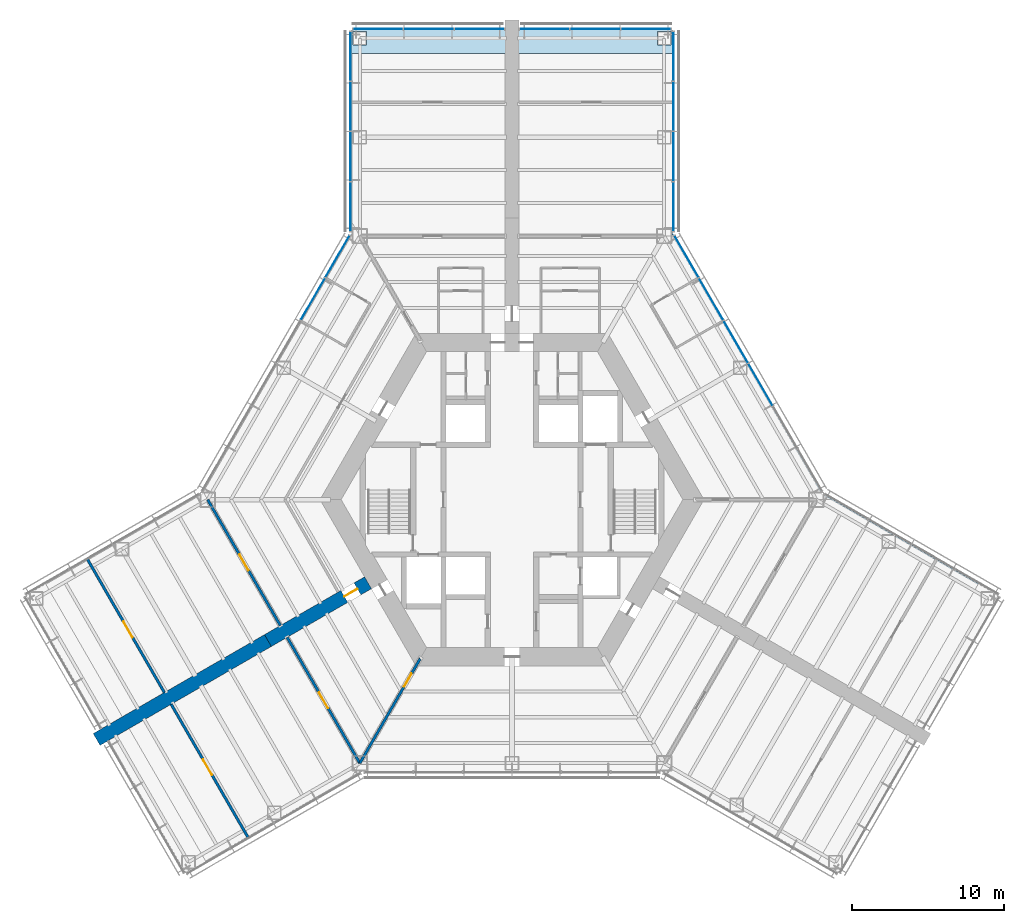
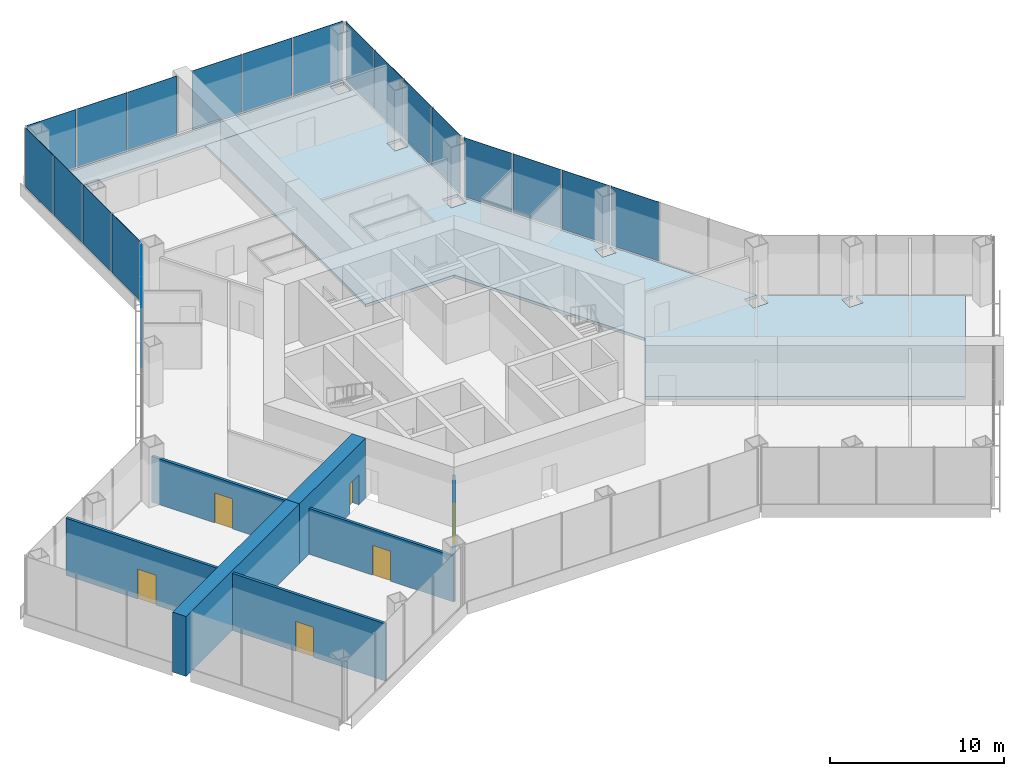
# One storey, part 10 of 16: 20 plates, 7 walls, 6 doors, 2 slabs, 6 openings, 6 elements without a shape of their own.
"""IFC4 building model written with IfcOpenShell, lengths in metres."""

from ifc_helpers import new_model, si_unit, direction, frame, frame_2d, origin, origin_2d, place, context, subcontext, project, spatial, polyline, rectangle, outline, extrude, material, layer, layer_set, type_object, element, fill, aggregate, save


model = new_model("IFC4")

# Units and contexts
model_context = context("Model", 3, precision=1e-05, world=origin(), true_north=direction((0.0, 1.0)))
body_context = subcontext(model_context, "Body", "Model", "MODEL_VIEW")
ifc_project = project(units=[si_unit("LENGTHUNIT", "METRE"), si_unit("AREAUNIT", "SQUARE_METRE"), si_unit("VOLUMEUNIT", "CUBIC_METRE"), si_unit("PLANEANGLEUNIT", "RADIAN"), si_unit("MASSUNIT", "GRAM", prefix="KILO")], contexts=[model_context])

# Site, building, storey
site_placement = place(None, origin())
site = spatial("IfcSite", under=ifc_project, at=site_placement, CompositionType="ELEMENT")
building_placement = place(site_placement, origin())
building = spatial("IfcBuilding", under=site, at=building_placement, Name="Kasaneha Research Tower", CompositionType="ELEMENT")
storey_placement = place(building_placement, frame((0.0, 0.0, 18.39990234375)))
storey = spatial("IfcBuildingStorey", under=building, at=storey_placement, Name="L05", CompositionType="ELEMENT", Elevation=18.39990234375)

# Curtain wall, plates
ifc_material_1 = material(Name="Glass and aluminium", Category="aluminium")
curtain_wall_type = type_object("IfcCurtainWallType", Name="Wet laboratory curtain wall", PredefinedType="USERDEFINED", material=ifc_material_1)
curtain_wall_1_placement = place(storey_placement, origin())
curtain_wall_1 = element("IfcCurtainWall", 1, at=curtain_wall_1_placement, inside=storey, type_object=curtain_wall_type, Name="CW-L1 L05 run 07a", ObjectType="UNITISED CURTAIN WALL", PredefinedType="USERDEFINED")
ifc_material_2 = material(Name="Laminated double glazing", Category="glass")
ifc_layer_1 = layer(ifc_material_2, 0.030029296875)
ifc_layer_set_1 = layer_set([ifc_layer_1], Name="CW-L1 glazed panel")
plate_type = type_object("IfcPlateType", Name="CW-L1 glazed panel", PredefinedType="CURTAIN_PANEL", material=ifc_layer_set_1)
plate_1_placement = place(storey_placement, frame((16.331298828125, 7.554443359375, 0.06494140625), z_axis=(0.0, 0.0, 1.0), x_axis=(-0.49999996188, 0.866025425793, 0.0)))
plate_1 = element("IfcPlate", 2, at=plate_1_placement, type_object=plate_type, Name="CW-L1 panel 3", PredefinedType="CURTAIN_PANEL", context=body_context, shape_type="SweptSolid", body=[
    extrude(rectangle(XDim=3.181396484375, YDim=0.030029296875, at=origin_2d()), origin(), (0.0, 0.0, 1.0), 4.135009765625),
])
plate_2_placement = place(storey_placement, frame((14.7080078125, 10.365966796875, 0.06494140625), z_axis=(0.0, 0.0, 1.0), x_axis=(-0.49999996188, 0.866025425793, 0.0)))
plate_2 = element("IfcPlate", 3, at=plate_2_placement, type_object=plate_type, Name="CW-L1 panel 4", PredefinedType="CURTAIN_PANEL", context=body_context, shape_type="SweptSolid", body=[
    extrude(rectangle(XDim=3.181396484375, YDim=0.030029296875, at=origin_2d()), origin(), (0.0, 0.0, 1.0), 4.135009765625),
])
plate_3_placement = place(storey_placement, frame((13.084716796875, 13.177490234375, 0.06494140625), z_axis=(0.0, 0.0, 1.0), x_axis=(-0.49999996188, 0.866025425793, 0.0)))
plate_3 = element("IfcPlate", 4, at=plate_3_placement, type_object=plate_type, Name="CW-L1 panel 5", PredefinedType="CURTAIN_PANEL", context=body_context, shape_type="SweptSolid", body=[
    extrude(rectangle(XDim=3.181396484375, YDim=0.030029296875, at=origin_2d()), origin(), (0.0, 0.0, 1.0), 4.135009765625),
])
plate_4_placement = place(storey_placement, frame((11.4697265625, 15.974853515625, 0.06494140625), z_axis=(0.0, 0.0, 1.0), x_axis=(-0.49999996188, 0.866025425793, 0.0)))
plate_4 = element("IfcPlate", 5, at=plate_4_placement, type_object=plate_type, Name="CW-L1 panel 6", PredefinedType="CURTAIN_PANEL", context=body_context, shape_type="SweptSolid", body=[
    extrude(rectangle(XDim=3.14892578125, YDim=0.030029296875, at=origin_2d()), origin(), (0.0, 0.0, 1.0), 4.135009765625),
])
aggregate(curtain_wall_1, [plate_1, plate_2, plate_3, plate_4])

curtain_wall_2_placement = place(storey_placement, origin())
curtain_wall_2 = element("IfcCurtainWall", 6, at=curtain_wall_2_placement, inside=storey, type_object=curtain_wall_type, Name="CW-L1 L05 run 08a", ObjectType="UNITISED CURTAIN WALL", PredefinedType="USERDEFINED")
plate_5_placement = place(storey_placement, frame((10.60009765625, 19.25244140625, 0.06494140625), z_axis=(0.0, 0.0, 1.0), x_axis=(0.0, 1.0, 0.0)))
plate_5 = element("IfcPlate", 7, at=plate_5_placement, type_object=plate_type, Name="CW-L1 panel 1", PredefinedType="CURTAIN_PANEL", context=body_context, shape_type="SweptSolid", body=[
    extrude(rectangle(XDim=3.21240234375, YDim=0.030029296875, at=origin_2d()), origin(), (0.0, 0.0, 1.0), 4.135009765625),
])
plate_6_placement = place(storey_placement, frame((10.60009765625, 22.5458984375, 0.06494140625), z_axis=(0.0, 0.0, 1.0), x_axis=(0.0, 1.0, 0.0)))
plate_6 = element("IfcPlate", 8, at=plate_6_placement, type_object=plate_type, Name="CW-L1 panel 2", PredefinedType="CURTAIN_PANEL", context=body_context, shape_type="SweptSolid", body=[
    extrude(rectangle(XDim=3.244873046875, YDim=0.030029296875, at=origin_2d()), origin(), (0.0, 0.0, 1.0), 4.135009765625),
])
plate_7_placement = place(storey_placement, frame((10.60009765625, 25.855712890625, 0.06494140625), z_axis=(0.0, 0.0, 1.0), x_axis=(0.0, 1.0, 0.0)))
plate_7 = element("IfcPlate", 9, at=plate_7_placement, type_object=plate_type, Name="CW-L1 panel 3", PredefinedType="CURTAIN_PANEL", context=body_context, shape_type="SweptSolid", body=[
    extrude(rectangle(XDim=3.244873046875, YDim=0.030029296875, at=origin_2d()), origin(), (0.0, 0.0, 1.0), 4.135009765625),
])
plate_8_placement = place(storey_placement, frame((10.60009765625, 29.1494140625, 0.06494140625), z_axis=(0.0, 0.0, 1.0), x_axis=(0.0, 1.0, 0.0)))
plate_8 = element("IfcPlate", 10, at=plate_8_placement, type_object=plate_type, Name="CW-L1 panel 4", PredefinedType="CURTAIN_PANEL", context=body_context, shape_type="SweptSolid", body=[
    extrude(rectangle(XDim=3.21240234375, YDim=0.030029296875, at=origin_2d()), origin(), (0.0, 0.0, 1.0), 4.135009765625),
])
aggregate(curtain_wall_2, [plate_5, plate_6, plate_7, plate_8])

curtain_wall_3_placement = place(storey_placement, origin())
curtain_wall_3 = element("IfcCurtainWall", 11, at=curtain_wall_3_placement, inside=storey, type_object=curtain_wall_type, Name="CW-L1 L05 run 09a", ObjectType="UNITISED CURTAIN WALL", PredefinedType="USERDEFINED")
plate_9_placement = place(storey_placement, frame((8.808837890625, 30.92041015625, 0.06494140625), z_axis=(0.0, 0.0, 1.0), x_axis=(-1.0, 0.0, 0.0)))
plate_9 = element("IfcPlate", 12, at=plate_9_placement, type_object=plate_type, Name="CW-L1 panel 1", PredefinedType="CURTAIN_PANEL", context=body_context, shape_type="SweptSolid", body=[
    extrude(rectangle(XDim=3.25244140625, YDim=0.030029296875, at=origin_2d()), origin(), (0.0, 0.0, 1.0), 4.135009765625),
])
plate_10_placement = place(storey_placement, frame((5.47509765625, 30.92041015625, 0.06494140625), z_axis=(0.0, 0.0, 1.0), x_axis=(-1.0, 0.0, 0.0)))
plate_10 = element("IfcPlate", 13, at=plate_10_placement, type_object=plate_type, Name="CW-L1 panel 2", PredefinedType="CURTAIN_PANEL", context=body_context, shape_type="SweptSolid", body=[
    extrude(rectangle(XDim=3.284912109375, YDim=0.030029296875, at=origin_2d()), origin(), (0.0, 0.0, 1.0), 4.135009765625),
])
plate_11_placement = place(storey_placement, frame((2.141357421875, 30.92041015625, 0.06494140625), z_axis=(0.0, 0.0, 1.0), x_axis=(-1.0, 0.0, 0.0)))
plate_11 = element("IfcPlate", 14, at=plate_11_placement, type_object=plate_type, Name="CW-L1 panel 3", PredefinedType="CURTAIN_PANEL", context=body_context, shape_type="SweptSolid", body=[
    extrude(rectangle(XDim=3.25244140625, YDim=0.030029296875, at=origin_2d()), origin(), (0.0, 0.0, 1.0), 4.135009765625),
])
aggregate(curtain_wall_3, [plate_9, plate_10, plate_11])

curtain_wall_4_placement = place(storey_placement, origin())
curtain_wall_4 = element("IfcCurtainWall", 15, at=curtain_wall_4_placement, inside=storey, type_object=curtain_wall_type, Name="CW-L1 L05 run 10a", ObjectType="UNITISED CURTAIN WALL", PredefinedType="USERDEFINED")
plate_12_placement = place(storey_placement, frame((-2.141357421875, 30.92041015625, 0.06494140625), z_axis=(0.0, 0.0, 1.0), x_axis=(-1.0, 0.0, 0.0)))
plate_12 = element("IfcPlate", 16, at=plate_12_placement, type_object=plate_type, Name="CW-L1 panel 1", PredefinedType="CURTAIN_PANEL", context=body_context, shape_type="SweptSolid", body=[
    extrude(rectangle(XDim=3.25244140625, YDim=0.030029296875, at=origin_2d()), origin(), (0.0, 0.0, 1.0), 4.135009765625),
])
plate_13_placement = place(storey_placement, frame((-5.47509765625, 30.92041015625, 0.06494140625), z_axis=(0.0, 0.0, 1.0), x_axis=(-1.0, 0.0, 0.0)))
plate_13 = element("IfcPlate", 17, at=plate_13_placement, type_object=plate_type, Name="CW-L1 panel 2", PredefinedType="CURTAIN_PANEL", context=body_context, shape_type="SweptSolid", body=[
    extrude(rectangle(XDim=3.284912109375, YDim=0.030029296875, at=origin_2d()), origin(), (0.0, 0.0, 1.0), 4.135009765625),
])
plate_14_placement = place(storey_placement, frame((-8.808837890625, 30.92041015625, 0.06494140625), z_axis=(0.0, 0.0, 1.0), x_axis=(-1.0, 0.0, 0.0)))
plate_14 = element("IfcPlate", 18, at=plate_14_placement, type_object=plate_type, Name="CW-L1 panel 3", PredefinedType="CURTAIN_PANEL", context=body_context, shape_type="SweptSolid", body=[
    extrude(rectangle(XDim=3.25244140625, YDim=0.030029296875, at=origin_2d()), origin(), (0.0, 0.0, 1.0), 4.135009765625),
])
aggregate(curtain_wall_4, [plate_12, plate_13, plate_14])

curtain_wall_5_placement = place(storey_placement, origin())
curtain_wall_5 = element("IfcCurtainWall", 19, at=curtain_wall_5_placement, inside=storey, type_object=curtain_wall_type, Name="CW-L1 L05 run 11a", ObjectType="UNITISED CURTAIN WALL", PredefinedType="USERDEFINED")
plate_15_placement = place(storey_placement, frame((-10.60009765625, 29.1494140625, 0.06494140625), z_axis=(0.0, 0.0, 1.0), x_axis=(0.0, -1.0, 0.0)))
plate_15 = element("IfcPlate", 20, at=plate_15_placement, type_object=plate_type, Name="CW-L1 panel 1", PredefinedType="CURTAIN_PANEL", context=body_context, shape_type="SweptSolid", body=[
    extrude(rectangle(XDim=3.21240234375, YDim=0.030029296875, at=origin_2d()), origin(), (0.0, 0.0, 1.0), 4.135009765625),
])
plate_16_placement = place(storey_placement, frame((-10.60009765625, 25.855712890625, 0.06494140625), z_axis=(0.0, 0.0, 1.0), x_axis=(0.0, -1.0, 0.0)))
plate_16 = element("IfcPlate", 21, at=plate_16_placement, type_object=plate_type, Name="CW-L1 panel 2", PredefinedType="CURTAIN_PANEL", context=body_context, shape_type="SweptSolid", body=[
    extrude(rectangle(XDim=3.244873046875, YDim=0.030029296875, at=origin_2d()), origin(), (0.0, 0.0, 1.0), 4.135009765625),
])
plate_17_placement = place(storey_placement, frame((-10.60009765625, 22.5458984375, 0.06494140625), z_axis=(0.0, 0.0, 1.0), x_axis=(0.0, -1.0, 0.0)))
plate_17 = element("IfcPlate", 22, at=plate_17_placement, type_object=plate_type, Name="CW-L1 panel 3", PredefinedType="CURTAIN_PANEL", context=body_context, shape_type="SweptSolid", body=[
    extrude(rectangle(XDim=3.244873046875, YDim=0.030029296875, at=origin_2d()), origin(), (0.0, 0.0, 1.0), 4.135009765625),
])
plate_18_placement = place(storey_placement, frame((-10.60009765625, 19.25244140625, 0.06494140625), z_axis=(0.0, 0.0, 1.0), x_axis=(0.0, -1.0, 0.0)))
plate_18 = element("IfcPlate", 23, at=plate_18_placement, type_object=plate_type, Name="CW-L1 panel 4", PredefinedType="CURTAIN_PANEL", context=body_context, shape_type="SweptSolid", body=[
    extrude(rectangle(XDim=3.21240234375, YDim=0.030029296875, at=origin_2d()), origin(), (0.0, 0.0, 1.0), 4.135009765625),
])
aggregate(curtain_wall_5, [plate_15, plate_16, plate_17, plate_18])

curtain_wall_6_placement = place(storey_placement, origin())
curtain_wall_6 = element("IfcCurtainWall", 24, at=curtain_wall_6_placement, inside=storey, type_object=curtain_wall_type, Name="CW-L1 L05 run 12a", ObjectType="UNITISED CURTAIN WALL", PredefinedType="USERDEFINED")
plate_19_placement = place(storey_placement, frame((-11.4697265625, 15.974853515625, 0.06494140625), z_axis=(0.0, 0.0, 1.0), x_axis=(-0.49999996188, -0.866025425793, 0.0)))
plate_19 = element("IfcPlate", 25, at=plate_19_placement, type_object=plate_type, Name="CW-L1 panel 1", PredefinedType="CURTAIN_PANEL", context=body_context, shape_type="SweptSolid", body=[
    extrude(rectangle(XDim=3.14892578125, YDim=0.030029296875, at=origin_2d()), origin(), (0.0, 0.0, 1.0), 4.135009765625),
])
plate_20_placement = place(storey_placement, frame((-13.084716796875, 13.177490234375, 0.06494140625), z_axis=(0.0, 0.0, 1.0), x_axis=(-0.49999996188, -0.866025425793, 0.0)))
plate_20 = element("IfcPlate", 26, at=plate_20_placement, type_object=plate_type, Name="CW-L1 panel 2", PredefinedType="CURTAIN_PANEL", context=body_context, shape_type="SweptSolid", body=[
    extrude(rectangle(XDim=3.181396484375, YDim=0.030029296875, at=origin_2d()), origin(), (0.0, 0.0, 1.0), 4.135009765625),
])
aggregate(curtain_wall_6, [plate_19, plate_20])

# Slabs
ifc_material_3 = material(Name="Concrete Fc24", Category="concrete")
ifc_layer_2 = layer(ifc_material_3, 0.199951171875)
ifc_layer_set_2 = layer_set([ifc_layer_2], Name="Floor slab 200")
slab_type = type_object("IfcSlabType", Name="Floor slab 200", PredefinedType="FLOOR", material=ifc_layer_set_2)
slab_1_placement = place(storey_placement, frame((0.0, 0.0, -0.199951171875)))
element("IfcSlab", 27, at=slab_1_placement, inside=storey, type_object=slab_type, Name="Floor slab L05 3", PredefinedType="FLOOR", context=body_context, shape_type="SweptSolid", body=[
    extrude(outline(polyline([(10.550048828125, 29.310546875), (0.449951171875, 29.310546875), (0.449951171875, 29.320556640625), (-0.449951171875, 29.320556640625), (-0.449951171875, 29.310546875), (-10.550048828125, 29.310546875), (-10.550048828125, 30.87060546875), (10.550048828125, 30.87060546875), (10.550048828125, 29.310546875)]), holes=[polyline([(-9.550048828125, 29.87060546875), (-9.550048828125, 30.7705078125), (-10.449951171875, 30.7705078125), (-10.449951171875, 29.87060546875), (-9.550048828125, 29.87060546875)]), polyline([(9.550048828125, 29.87060546875), (10.449951171875, 29.87060546875), (10.449951171875, 30.7705078125), (9.550048828125, 30.7705078125), (9.550048828125, 29.87060546875)])]), origin(), (0.0, 0.0, 1.0), 0.199951171875),
])
slab_2_placement = place(storey_placement, frame((0.0, 0.0, -0.199951171875)))
element("IfcSlab", 28, at=slab_2_placement, inside=storey, type_object=slab_type, Name="Floor slab L05 5", PredefinedType="FLOOR", context=body_context, shape_type="SweptSolid", body=[
    extrude(outline(polyline([(9.686279296875, -5.07275390625), (12.614990234375, 0.0), (6.3076171875, 10.925048828125), (0.449951171875, 10.925048828125), (0.449951171875, 29.310546875), (10.550048828125, 29.310546875), (10.550048828125, 17.4677734375), (15.375244140625, 9.1103515625), (14.550048828125, 9.1103515625), (14.550048828125, 8.210205078125), (15.449951171875, 8.210205078125), (15.449951171875, 8.980712890625), (20.346435546875, 0.5), (19.5, 0.5), (19.5, -0.5), (20.5, -0.5), (20.5, 0.346435546875), (25.083740234375, -2.300048828125), (24.313232421875, -2.300048828125), (24.313232421875, -3.199951171875), (25.213134765625, -3.199951171875), (25.213134765625, -2.374755859375), (30.65869140625, -5.518798828125), (25.608642578125, -14.265625), (9.686279296875, -5.07275390625)]), holes=[polyline([(9.5, 16.820556640625), (10.5, 16.820556640625), (10.5, 17.820556640625), (9.5, 17.820556640625), (9.5, 16.820556640625)]), polyline([(9.550048828125, 23.37060546875), (10.449951171875, 23.37060546875), (10.449951171875, 24.2705078125), (9.550048828125, 24.2705078125), (9.550048828125, 23.37060546875)])]), origin(), (0.0, 0.0, 1.0), 0.199951171875),
])

# Wall, opening, door
ifc_material_4 = material(Name="Gypsum board on steel studs, two layers each side", Category="steel")
ifc_layer_3 = layer(ifc_material_4, 0.175048828125)
ifc_layer_set_3 = layer_set([ifc_layer_3], Name="Laboratory fire partition 175")
wall_type_1 = type_object("IfcWallType", Name="Laboratory fire partition 175", PredefinedType="PARTITIONING", material=ifc_layer_set_3)
wall_1_placement = place(storey_placement, frame((-15.22509765625, -8.2705078125, 0.0), z_axis=(0.0, 0.0, 1.0), x_axis=(-0.499993908199, 0.866028920859, 0.0)))
wall_1 = element("IfcWall", 29, at=wall_1_placement, inside=storey, type_object=wall_type_1, Name="Laboratory fire partition LABB-N L05", PredefinedType="PARTITIONING", context=body_context, shape_type="SweptSolid", body=[
    extrude(rectangle(XDim=9.5498046875, YDim=0.175048828125, at=frame_2d((4.77490234375, 0.0))), origin(), (0.0, 0.0, 1.0), 3.2080078125),
])
opening_1_placement = place(wall_1_placement, frame((4.175048828125, 0.0, 0.0)))
opening_1 = element("IfcOpeningElement", 30, at=opening_1_placement, cuts=wall_1, Name="Opening L05-D36", PredefinedType="OPENING", context=body_context, shape_type="SweptSolid", body=[
    extrude(rectangle(XDim=1.199951171875, YDim=2.10009765625, at=frame_2d((0.60009765625, 1.050048828125))), frame((0.0, 0.09765625, 0.0), z_axis=(0.0, -1.0, 0.0), x_axis=(1.0, 0.0, 0.0)), (0.0, 0.0, 1.0), 0.195068359375),
])
ifc_material_5 = material(Name="Steel", Category="steel")
door_type_1 = type_object("IfcDoorType", Name="Laboratory door FD60 1200x2100", OperationType="DOUBLE_DOOR_SINGLE_SWING", PredefinedType="DOOR", material=ifc_material_5)
door_1_placement = place(opening_1_placement, origin())
door_1 = element("IfcDoor", 31, at=door_1_placement, inside=storey, type_object=door_type_1, Name="Laboratory door L05-D36", OperationType="DOUBLE_DOOR_SINGLE_SWING", OverallHeight=2.10009765625, OverallWidth=1.199951171875, PredefinedType="DOOR", context=body_context, shape_type="SweptSolid", body=[
    extrude(rectangle(XDim=1.199951171875, YDim=2.10009765625, at=frame_2d((0.60009765625, 1.050048828125))), frame((0.0, 0.02490234375, 0.0), z_axis=(0.0, -1.0, 0.0), x_axis=(1.0, 0.0, 0.0)), (0.0, 0.0, 1.0), 0.050048828125),
])
fill(opening_1, door_1)

wall_2_placement = place(storey_placement, frame((-22.845947265625, -12.670654296875, 0.0), z_axis=(0.0, 0.0, 1.0), x_axis=(-0.50000186303, 0.866024328161, 0.0)))
wall_2 = element("IfcWall", 32, at=wall_2_placement, inside=storey, type_object=wall_type_1, Name="Laboratory fire partition SUPB-N L05", PredefinedType="PARTITIONING", context=body_context, shape_type="SweptSolid", body=[
    extrude(rectangle(XDim=10.13525390625, YDim=0.175048828125, at=frame_2d((5.067626953125, 0.0))), origin(), (0.0, 0.0, 1.0), 4.0),
])
opening_2_placement = place(wall_2_placement, frame((4.175048828125, 0.0, 0.0)))
opening_2 = element("IfcOpeningElement", 33, at=opening_2_placement, cuts=wall_2, Name="Opening L05-D39", PredefinedType="OPENING", context=body_context, shape_type="SweptSolid", body=[
    extrude(rectangle(XDim=1.199951171875, YDim=2.10009765625, at=frame_2d((0.60009765625, 1.050048828125))), frame((0.0, 0.09765625, 0.0), z_axis=(0.0, -1.0, 0.0), x_axis=(1.0, 0.0, 0.0)), (0.0, 0.0, 1.0), 0.195068359375),
])
door_2_placement = place(opening_2_placement, origin())
door_2 = element("IfcDoor", 34, at=door_2_placement, inside=storey, type_object=door_type_1, Name="Laboratory support room door L05-D39", OperationType="DOUBLE_DOOR_SINGLE_SWING", OverallHeight=2.10009765625, OverallWidth=1.199951171875, PredefinedType="DOOR", context=body_context, shape_type="SweptSolid", body=[
    extrude(rectangle(XDim=1.199951171875, YDim=2.10009765625, at=frame_2d((0.60009765625, 1.050048828125))), frame((0.0, 0.02490234375, 0.0), z_axis=(0.0, -1.0, 0.0), x_axis=(1.0, 0.0, 0.0)), (0.0, 0.0, 1.0), 0.050048828125),
])
fill(opening_2, door_2)

wall_3_placement = place(storey_placement, frame((-14.77490234375, -9.050048828125, 0.0), z_axis=(0.0, 0.0, 1.0), x_axis=(0.499993908199, -0.866028920859, 0.0)))
wall_3 = element("IfcWall", 35, at=wall_3_placement, inside=storey, type_object=wall_type_1, Name="Laboratory fire partition LABB-S L05", PredefinedType="PARTITIONING", context=body_context, shape_type="SweptSolid", body=[
    extrude(rectangle(XDim=9.5498046875, YDim=0.175048828125, at=frame_2d((4.77490234375, 0.0))), origin(), (0.0, 0.0, 1.0), 3.2080078125),
])
opening_3_placement = place(wall_3_placement, frame((4.175048828125, 0.0, 0.0)))
opening_3 = element("IfcOpeningElement", 36, at=opening_3_placement, cuts=wall_3, Name="Opening L05-D40", PredefinedType="OPENING", context=body_context, shape_type="SweptSolid", body=[
    extrude(rectangle(XDim=1.199951171875, YDim=2.10009765625, at=frame_2d((0.60009765625, 1.050048828125))), frame((0.0, 0.09765625, 0.0), z_axis=(0.0, -1.0, 0.0), x_axis=(1.0, 0.0, 0.0)), (0.0, 0.0, 1.0), 0.195068359375),
])
door_3_placement = place(opening_3_placement, origin())
door_3 = element("IfcDoor", 37, at=door_3_placement, inside=storey, type_object=door_type_1, Name="Laboratory door L05-D40", OperationType="DOUBLE_DOOR_SINGLE_SWING", OverallHeight=2.10009765625, OverallWidth=1.199951171875, PredefinedType="DOOR", context=body_context, shape_type="SweptSolid", body=[
    extrude(rectangle(XDim=1.199951171875, YDim=2.10009765625, at=frame_2d((0.60009765625, 1.050048828125))), frame((0.0, 0.02490234375, 0.0), z_axis=(0.0, -1.0, 0.0), x_axis=(1.0, 0.0, 0.0)), (0.0, 0.0, 1.0), 0.050048828125),
])
fill(opening_3, door_3)

wall_4_placement = place(storey_placement, frame((-22.39599609375, -13.449951171875, 0.0), z_axis=(0.0, 0.0, 1.0), x_axis=(0.500005203629, -0.866022399447, 0.0)))
wall_4 = element("IfcWall", 38, at=wall_4_placement, inside=storey, type_object=wall_type_1, Name="Laboratory fire partition SUPB-S L05", PredefinedType="PARTITIONING", context=body_context, shape_type="SweptSolid", body=[
    extrude(rectangle(XDim=10.14013671875, YDim=0.175048828125, at=frame_2d((5.070068359375, 0.0))), origin(), (0.0, 0.0, 1.0), 4.0),
])
opening_4_placement = place(wall_4_placement, frame((4.175048828125, 0.0, 0.0)))
opening_4 = element("IfcOpeningElement", 39, at=opening_4_placement, cuts=wall_4, Name="Opening L05-D41", PredefinedType="OPENING", context=body_context, shape_type="SweptSolid", body=[
    extrude(rectangle(XDim=1.199951171875, YDim=2.10009765625, at=frame_2d((0.60009765625, 1.050048828125))), frame((0.0, 0.09765625, 0.0), z_axis=(0.0, -1.0, 0.0), x_axis=(1.0, 0.0, 0.0)), (0.0, 0.0, 1.0), 0.195068359375),
])
door_4_placement = place(opening_4_placement, origin())
door_4 = element("IfcDoor", 40, at=door_4_placement, inside=storey, type_object=door_type_1, Name="Laboratory support room door L05-D41", OperationType="DOUBLE_DOOR_SINGLE_SWING", OverallHeight=2.10009765625, OverallWidth=1.199951171875, PredefinedType="DOOR", context=body_context, shape_type="SweptSolid", body=[
    extrude(rectangle(XDim=1.199951171875, YDim=2.10009765625, at=frame_2d((0.60009765625, 1.050048828125))), frame((0.0, 0.02490234375, 0.0), z_axis=(0.0, -1.0, 0.0), x_axis=(1.0, 0.0, 0.0)), (0.0, 0.0, 1.0), 0.050048828125),
])
fill(opening_4, door_4)

ifc_material_6 = material(Name="Concrete Fc100", Category="concrete")
ifc_layer_4 = layer(ifc_material_6, 0.89990234375)
ifc_layer_set_4 = layer_set([ifc_layer_4], Name="Spine wall 900 Fc100")
wall_type_2 = type_object("IfcWallType", Name="Spine wall 900 Fc100", PredefinedType="SHEAR", material=ifc_layer_set_4)
wall_5_placement = place(storey_placement, frame((-9.46142578125, -5.46240234375, 0.0), z_axis=(0.0, 0.0, 1.0), x_axis=(-0.866019116917, -0.500010889016, 0.0)))
wall_5 = element("IfcWall", 41, at=wall_5_placement, inside=storey, type_object=wall_type_2, Name="Spine wall B L05", PredefinedType="SHEAR", context=body_context, shape_type="SweptSolid", body=[
    extrude(rectangle(XDim=7.595458984375, YDim=0.89990234375, at=frame_2d((3.7978515625, 0.0))), origin(), (0.0, 0.0, 1.0), 4.2001953125),
])
opening_5_placement = place(wall_5_placement, frame((0.800048828125, 0.0, 0.0)))
opening_5 = element("IfcOpeningElement", 42, at=opening_5_placement, cuts=wall_5, Name="Opening L05-D18", PredefinedType="OPENING", context=body_context, shape_type="SweptSolid", body=[
    extrude(rectangle(XDim=1.0, YDim=2.10009765625, at=frame_2d((0.5, 1.050048828125))), frame((0.0, 0.4599609375, 0.0), z_axis=(0.0, -1.0, 0.0), x_axis=(1.0, 0.0, 0.0)), (0.0, 0.0, 1.0), 0.919921875),
])
ifc_material_7 = material(Name="Steel", Category="steel")
door_type_2 = type_object("IfcDoorType", Name="Specified fire door FD60 1000x2100", OperationType="NOTDEFINED", PredefinedType="DOOR", material=ifc_material_7)
door_5_placement = place(opening_5_placement, origin())
door_5 = element("IfcDoor", 43, at=door_5_placement, inside=storey, type_object=door_type_2, Name="Spine doorway B L05-D18", OperationType="SINGLE_SWING_LEFT", OverallHeight=2.10009765625, OverallWidth=1.0, PredefinedType="DOOR", context=body_context, shape_type="SweptSolid", body=[
    extrude(rectangle(XDim=1.0, YDim=2.10009765625, at=frame_2d((0.5, 1.050048828125))), frame((0.0, 0.02490234375, 0.0), z_axis=(0.0, -1.0, 0.0), x_axis=(1.0, 0.0, 0.0)), (0.0, 0.0, 1.0), 0.050048828125),
])
fill(opening_5, door_5)

# Wall
wall_6_placement = place(storey_placement, frame((-16.039306640625, -9.26025390625, 0.0), z_axis=(0.0, 0.0, 1.0), x_axis=(-0.866024837091, -0.50000098154, 0.0)))
element("IfcWall", 44, at=wall_6_placement, inside=storey, type_object=wall_type_2, Name="Spine wall B wing L05", PredefinedType="SHEAR", context=body_context, shape_type="SweptSolid", body=[
    extrude(rectangle(XDim=13.0, YDim=0.89990234375, at=frame_2d((6.5, 0.0))), origin(), (0.0, 0.0, 1.0), 4.2001953125),
])

# Wall, opening, door
ifc_material_8 = material(Name="Gypsum board on steel studs, two layers each side", Category="steel")
ifc_layer_5 = layer(ifc_material_8, 0.175048828125)
ifc_layer_set_5 = layer_set([ifc_layer_5], Name="Tenancy fire partition 175")
wall_type_3 = type_object("IfcWallType", Name="Tenancy fire partition 175", PredefinedType="PARTITIONING", material=ifc_layer_set_5)
wall_7_placement = place(storey_placement, frame((-6.03515625, -10.453125, 0.0), z_axis=(0.0, 0.0, 1.0), x_axis=(-0.499993402427, -0.866029212861, 0.0)))
wall_7 = element("IfcWall", 45, at=wall_7_placement, inside=storey, type_object=wall_type_3, Name="Tenancy fire partition T240 L05", PredefinedType="PARTITIONING", context=body_context, shape_type="SweptSolid", body=[
    extrude(outline(polyline([(-0.050537109375, -0.08740234375), (1.12939453125, -0.08740234375), (2.12939453125, -0.08740234375), (7.9296875, -0.08740234375), (7.9296875, 0.08740234375), (2.12939453125, 0.08740234375), (1.12939453125, 0.08740234375), (0.050537109375, 0.08740234375), (-0.050537109375, -0.08740234375)])), origin(), (0.0, 0.0, 1.0), 3.300048828125),
])
opening_6_placement = place(wall_7_placement, frame((1.12939453125, 0.0, 0.0)))
opening_6 = element("IfcOpeningElement", 46, at=opening_6_placement, cuts=wall_7, Name="Opening L05-D26", PredefinedType="OPENING", context=body_context, shape_type="SweptSolid", body=[
    extrude(rectangle(XDim=1.0, YDim=2.10009765625, at=frame_2d((0.5, 1.050048828125))), frame((0.0, 0.09765625, 0.0), z_axis=(0.0, -1.0, 0.0), x_axis=(1.0, 0.0, 0.0)), (0.0, 0.0, 1.0), 0.195068359375),
])
ifc_material_9 = material(Name="Steel", Category="steel")
door_type_3 = type_object("IfcDoorType", Name="Suite entrance door FD60 1000x2100", OperationType="NOTDEFINED", PredefinedType="DOOR", material=ifc_material_9)
door_6_placement = place(opening_6_placement, origin())
door_6 = element("IfcDoor", 47, at=door_6_placement, inside=storey, type_object=door_type_3, Name="Connecting door L05-D26", OperationType="SINGLE_SWING_LEFT", OverallHeight=2.10009765625, OverallWidth=1.0, PredefinedType="DOOR", context=body_context, shape_type="SweptSolid", body=[
    extrude(rectangle(XDim=1.0, YDim=2.10009765625, at=frame_2d((0.5, 1.050048828125))), frame((0.0, 0.02490234375, 0.0), z_axis=(0.0, -1.0, 0.0), x_axis=(1.0, 0.0, 0.0)), (0.0, 0.0, 1.0), 0.050048828125),
])
fill(opening_6, door_6)

save(model, "model.ifc")
